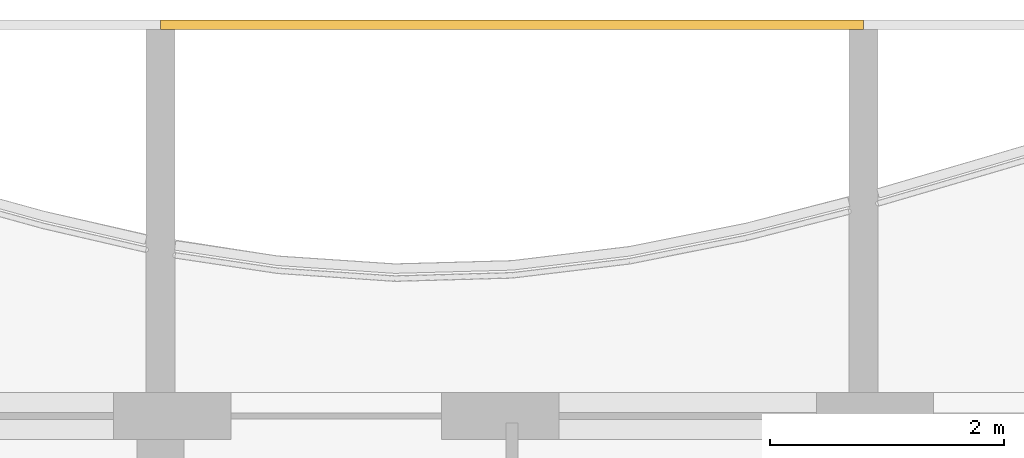
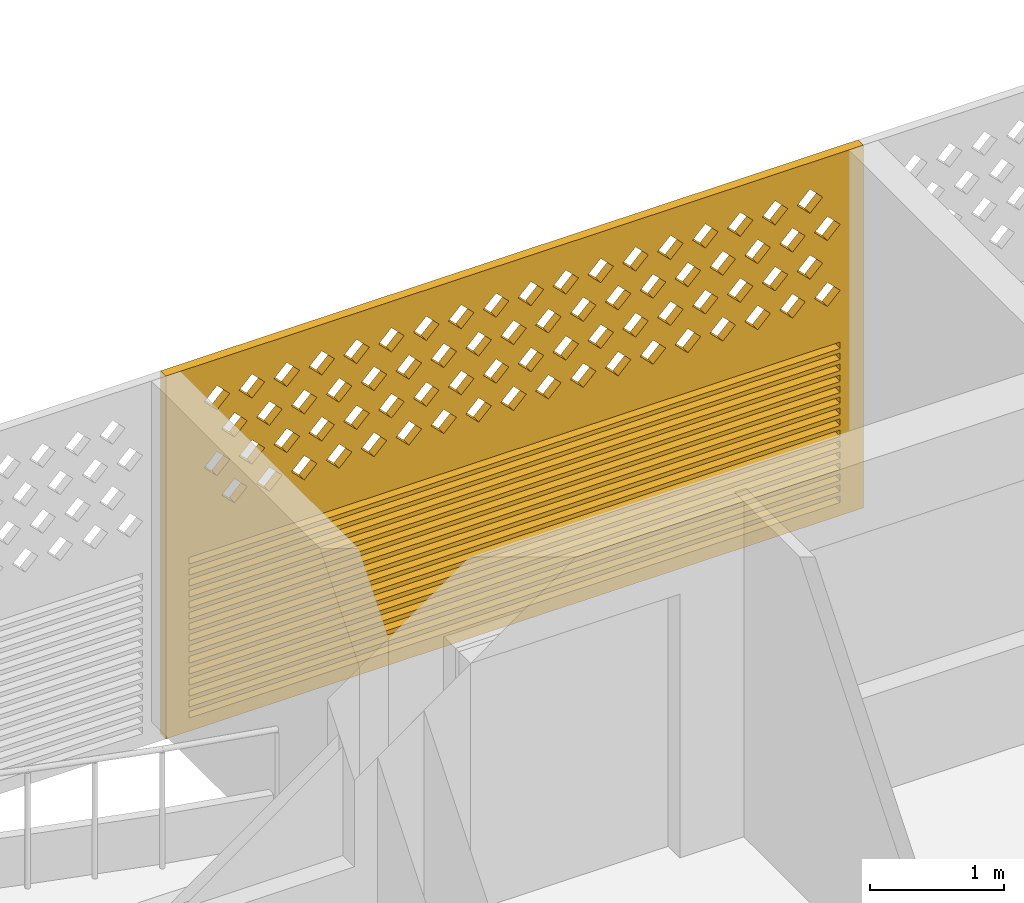
# One storey, part 37 of 39: 1 covering.
"""IFC4 building model written with IfcOpenShell, lengths in metres."""

from ifc_helpers import new_model, si_unit, direction, frame, origin, place, context, subcontext, project, spatial, polyline, outline, extrude, source, transform, mapped, material, material_profile, profile_set, type_object, element, save


model = new_model("IFC4")

# Units and contexts
model_context = context("Model", 3, precision=1e-05, world=origin(), true_north=direction((0.0, 1.0)))
body_context = subcontext(model_context, "Body", "Model", "MODEL_VIEW")
ifc_project = project(units=[si_unit("LENGTHUNIT", "METRE"), si_unit("AREAUNIT", "SQUARE_METRE"), si_unit("VOLUMEUNIT", "CUBIC_METRE"), si_unit("PLANEANGLEUNIT", "RADIAN"), si_unit("MASSUNIT", "GRAM", prefix="KILO")], contexts=[model_context])

# Site, building, storey
site_placement = place(None, origin())
site = spatial("IfcSite", under=ifc_project, at=site_placement, CompositionType="ELEMENT")
building_placement = place(site_placement, origin())
building = spatial("IfcBuilding", under=site, at=building_placement, Name="Poui Terraces", CompositionType="ELEMENT")
storey_placement = place(building_placement, frame((0.0, 0.0, 56.39990234375)))
storey = spatial("IfcBuildingStorey", under=building, at=storey_placement, Name="L15", CompositionType="ELEMENT", Elevation=56.39990234375)

# Covering
ifc_material = material(Name="Terracotta screen", Category="masonry")
ifc_material_profile = material_profile(ifc_material, outline(polyline([(-3.0, -1.64990234375), (3.0, -1.64990234375), (3.0, 1.64990234375), (-3.0, 1.64990234375), (-3.0, -1.64990234375)]), holes=[polyline([(-2.800048828125, 0.39990234375), (-2.68994140625, 0.2900390625), (-2.580078125, 0.39990234375), (-2.68994140625, 0.510009765625), (-2.800048828125, 0.39990234375)]), polyline([(-2.5, 0.39990234375), (-2.389892578125, 0.2900390625), (-2.280029296875, 0.39990234375), (-2.389892578125, 0.510009765625), (-2.5, 0.39990234375)]), polyline([(-2.199951171875, 0.39990234375), (-2.090087890625, 0.2900390625), (-1.97998046875, 0.39990234375), (-2.090087890625, 0.510009765625), (-2.199951171875, 0.39990234375)]), polyline([(-1.89990234375, 0.39990234375), (-1.7900390625, 0.2900390625), (-1.679931640625, 0.39990234375), (-1.7900390625, 0.510009765625), (-1.89990234375, 0.39990234375)]), polyline([(-1.60009765625, 0.39990234375), (-1.489990234375, 0.2900390625), (-1.3798828125, 0.39990234375), (-1.489990234375, 0.510009765625), (-1.60009765625, 0.39990234375)]), polyline([(-1.300048828125, 0.39990234375), (-1.18994140625, 0.2900390625), (-1.080078125, 0.39990234375), (-1.18994140625, 0.510009765625), (-1.300048828125, 0.39990234375)]), polyline([(-1.0, 0.39990234375), (-0.889892578125, 0.2900390625), (-0.780029296875, 0.39990234375), (-0.889892578125, 0.510009765625), (-1.0, 0.39990234375)]), polyline([(-0.699951171875, 0.39990234375), (-0.590087890625, 0.2900390625), (-0.47998046875, 0.39990234375), (-0.590087890625, 0.510009765625), (-0.699951171875, 0.39990234375)]), polyline([(-0.39990234375, 0.39990234375), (-0.2900390625, 0.2900390625), (-0.179931640625, 0.39990234375), (-0.2900390625, 0.510009765625), (-0.39990234375, 0.39990234375)]), polyline([(-0.10009765625, 0.39990234375), (0.010009765625, 0.2900390625), (0.1201171875, 0.39990234375), (0.010009765625, 0.510009765625), (-0.10009765625, 0.39990234375)]), polyline([(0.199951171875, 0.39990234375), (0.31005859375, 0.2900390625), (0.419921875, 0.39990234375), (0.31005859375, 0.510009765625), (0.199951171875, 0.39990234375)]), polyline([(0.5, 0.39990234375), (0.610107421875, 0.2900390625), (0.719970703125, 0.39990234375), (0.610107421875, 0.510009765625), (0.5, 0.39990234375)]), polyline([(0.800048828125, 0.39990234375), (0.909912109375, 0.2900390625), (1.02001953125, 0.39990234375), (0.909912109375, 0.510009765625), (0.800048828125, 0.39990234375)]), polyline([(1.10009765625, 0.39990234375), (1.2099609375, 0.2900390625), (1.320068359375, 0.39990234375), (1.2099609375, 0.510009765625), (1.10009765625, 0.39990234375)]), polyline([(1.39990234375, 0.39990234375), (1.510009765625, 0.2900390625), (1.6201171875, 0.39990234375), (1.510009765625, 0.510009765625), (1.39990234375, 0.39990234375)]), polyline([(1.699951171875, 0.39990234375), (1.81005859375, 0.2900390625), (1.919921875, 0.39990234375), (1.81005859375, 0.510009765625), (1.699951171875, 0.39990234375)]), polyline([(2.0, 0.39990234375), (2.110107421875, 0.2900390625), (2.219970703125, 0.39990234375), (2.110107421875, 0.510009765625), (2.0, 0.39990234375)]), polyline([(2.300048828125, 0.39990234375), (2.409912109375, 0.2900390625), (2.52001953125, 0.39990234375), (2.409912109375, 0.510009765625), (2.300048828125, 0.39990234375)]), polyline([(-2.64990234375, 0.699951171875), (-2.5400390625, 0.590087890625), (-2.429931640625, 0.699951171875), (-2.5400390625, 0.81005859375), (-2.64990234375, 0.699951171875)]), polyline([(-2.35009765625, 0.699951171875), (-2.239990234375, 0.590087890625), (-2.1298828125, 0.699951171875), (-2.239990234375, 0.81005859375), (-2.35009765625, 0.699951171875)]), polyline([(-2.050048828125, 0.699951171875), (-1.93994140625, 0.590087890625), (-1.830078125, 0.699951171875), (-1.93994140625, 0.81005859375), (-2.050048828125, 0.699951171875)]), polyline([(-1.75, 0.699951171875), (-1.639892578125, 0.590087890625), (-1.530029296875, 0.699951171875), (-1.639892578125, 0.81005859375), (-1.75, 0.699951171875)]), polyline([(-1.449951171875, 0.699951171875), (-1.340087890625, 0.590087890625), (-1.22998046875, 0.699951171875), (-1.340087890625, 0.81005859375), (-1.449951171875, 0.699951171875)]), polyline([(-1.14990234375, 0.699951171875), (-1.0400390625, 0.590087890625), (-0.929931640625, 0.699951171875), (-1.0400390625, 0.81005859375), (-1.14990234375, 0.699951171875)]), polyline([(-0.85009765625, 0.699951171875), (-0.739990234375, 0.590087890625), (-0.6298828125, 0.699951171875), (-0.739990234375, 0.81005859375), (-0.85009765625, 0.699951171875)]), polyline([(-0.550048828125, 0.699951171875), (-0.43994140625, 0.590087890625), (-0.330078125, 0.699951171875), (-0.43994140625, 0.81005859375), (-0.550048828125, 0.699951171875)]), polyline([(-0.25, 0.699951171875), (-0.139892578125, 0.590087890625), (-0.030029296875, 0.699951171875), (-0.139892578125, 0.81005859375), (-0.25, 0.699951171875)]), polyline([(0.050048828125, 0.699951171875), (0.159912109375, 0.590087890625), (0.27001953125, 0.699951171875), (0.159912109375, 0.81005859375), (0.050048828125, 0.699951171875)]), polyline([(0.35009765625, 0.699951171875), (0.4599609375, 0.590087890625), (0.570068359375, 0.699951171875), (0.4599609375, 0.81005859375), (0.35009765625, 0.699951171875)]), polyline([(0.64990234375, 0.699951171875), (0.760009765625, 0.590087890625), (0.8701171875, 0.699951171875), (0.760009765625, 0.81005859375), (0.64990234375, 0.699951171875)]), polyline([(0.949951171875, 0.699951171875), (1.06005859375, 0.590087890625), (1.169921875, 0.699951171875), (1.06005859375, 0.81005859375), (0.949951171875, 0.699951171875)]), polyline([(1.25, 0.699951171875), (1.360107421875, 0.590087890625), (1.469970703125, 0.699951171875), (1.360107421875, 0.81005859375), (1.25, 0.699951171875)]), polyline([(1.550048828125, 0.699951171875), (1.659912109375, 0.590087890625), (1.77001953125, 0.699951171875), (1.659912109375, 0.81005859375), (1.550048828125, 0.699951171875)]), polyline([(1.85009765625, 0.699951171875), (1.9599609375, 0.590087890625), (2.070068359375, 0.699951171875), (1.9599609375, 0.81005859375), (1.85009765625, 0.699951171875)]), polyline([(2.14990234375, 0.699951171875), (2.260009765625, 0.590087890625), (2.3701171875, 0.699951171875), (2.260009765625, 0.81005859375), (2.14990234375, 0.699951171875)]), polyline([(2.449951171875, 0.699951171875), (2.56005859375, 0.590087890625), (2.669921875, 0.699951171875), (2.56005859375, 0.81005859375), (2.449951171875, 0.699951171875)]), polyline([(-2.800048828125, 1.0), (-2.68994140625, 0.889892578125), (-2.580078125, 1.0), (-2.68994140625, 1.110107421875), (-2.800048828125, 1.0)]), polyline([(-2.5, 1.0), (-2.389892578125, 0.889892578125), (-2.280029296875, 1.0), (-2.389892578125, 1.110107421875), (-2.5, 1.0)]), polyline([(-2.199951171875, 1.0), (-2.090087890625, 0.889892578125), (-1.97998046875, 1.0), (-2.090087890625, 1.110107421875), (-2.199951171875, 1.0)]), polyline([(-1.89990234375, 1.0), (-1.7900390625, 0.889892578125), (-1.679931640625, 1.0), (-1.7900390625, 1.110107421875), (-1.89990234375, 1.0)]), polyline([(-1.60009765625, 1.0), (-1.489990234375, 0.889892578125), (-1.3798828125, 1.0), (-1.489990234375, 1.110107421875), (-1.60009765625, 1.0)]), polyline([(-1.300048828125, 1.0), (-1.18994140625, 0.889892578125), (-1.080078125, 1.0), (-1.18994140625, 1.110107421875), (-1.300048828125, 1.0)]), polyline([(-1.0, 1.0), (-0.889892578125, 0.889892578125), (-0.780029296875, 1.0), (-0.889892578125, 1.110107421875), (-1.0, 1.0)]), polyline([(-0.699951171875, 1.0), (-0.590087890625, 0.889892578125), (-0.47998046875, 1.0), (-0.590087890625, 1.110107421875), (-0.699951171875, 1.0)]), polyline([(-0.39990234375, 1.0), (-0.2900390625, 0.889892578125), (-0.179931640625, 1.0), (-0.2900390625, 1.110107421875), (-0.39990234375, 1.0)]), polyline([(-0.10009765625, 1.0), (0.010009765625, 0.889892578125), (0.1201171875, 1.0), (0.010009765625, 1.110107421875), (-0.10009765625, 1.0)]), polyline([(0.199951171875, 1.0), (0.31005859375, 0.889892578125), (0.419921875, 1.0), (0.31005859375, 1.110107421875), (0.199951171875, 1.0)]), polyline([(0.5, 1.0), (0.610107421875, 0.889892578125), (0.719970703125, 1.0), (0.610107421875, 1.110107421875), (0.5, 1.0)]), polyline([(0.800048828125, 1.0), (0.909912109375, 0.889892578125), (1.02001953125, 1.0), (0.909912109375, 1.110107421875), (0.800048828125, 1.0)]), polyline([(1.10009765625, 1.0), (1.2099609375, 0.889892578125), (1.320068359375, 1.0), (1.2099609375, 1.110107421875), (1.10009765625, 1.0)]), polyline([(1.39990234375, 1.0), (1.510009765625, 0.889892578125), (1.6201171875, 1.0), (1.510009765625, 1.110107421875), (1.39990234375, 1.0)]), polyline([(1.699951171875, 1.0), (1.81005859375, 0.889892578125), (1.919921875, 1.0), (1.81005859375, 1.110107421875), (1.699951171875, 1.0)]), polyline([(2.0, 1.0), (2.110107421875, 0.889892578125), (2.219970703125, 1.0), (2.110107421875, 1.110107421875), (2.0, 1.0)]), polyline([(2.300048828125, 1.0), (2.409912109375, 0.889892578125), (2.52001953125, 1.0), (2.409912109375, 1.110107421875), (2.300048828125, 1.0)]), polyline([(-2.64990234375, 1.300048828125), (-2.5400390625, 1.18994140625), (-2.429931640625, 1.300048828125), (-2.5400390625, 1.409912109375), (-2.64990234375, 1.300048828125)]), polyline([(-2.35009765625, 1.300048828125), (-2.239990234375, 1.18994140625), (-2.1298828125, 1.300048828125), (-2.239990234375, 1.409912109375), (-2.35009765625, 1.300048828125)]), polyline([(-2.050048828125, 1.300048828125), (-1.93994140625, 1.18994140625), (-1.830078125, 1.300048828125), (-1.93994140625, 1.409912109375), (-2.050048828125, 1.300048828125)]), polyline([(-1.75, 1.300048828125), (-1.639892578125, 1.18994140625), (-1.530029296875, 1.300048828125), (-1.639892578125, 1.409912109375), (-1.75, 1.300048828125)]), polyline([(-1.449951171875, 1.300048828125), (-1.340087890625, 1.18994140625), (-1.22998046875, 1.300048828125), (-1.340087890625, 1.409912109375), (-1.449951171875, 1.300048828125)]), polyline([(-1.14990234375, 1.300048828125), (-1.0400390625, 1.18994140625), (-0.929931640625, 1.300048828125), (-1.0400390625, 1.409912109375), (-1.14990234375, 1.300048828125)]), polyline([(-0.85009765625, 1.300048828125), (-0.739990234375, 1.18994140625), (-0.6298828125, 1.300048828125), (-0.739990234375, 1.409912109375), (-0.85009765625, 1.300048828125)]), polyline([(-0.550048828125, 1.300048828125), (-0.43994140625, 1.18994140625), (-0.330078125, 1.300048828125), (-0.43994140625, 1.409912109375), (-0.550048828125, 1.300048828125)]), polyline([(-0.25, 1.300048828125), (-0.139892578125, 1.18994140625), (-0.030029296875, 1.300048828125), (-0.139892578125, 1.409912109375), (-0.25, 1.300048828125)]), polyline([(0.050048828125, 1.300048828125), (0.159912109375, 1.18994140625), (0.27001953125, 1.300048828125), (0.159912109375, 1.409912109375), (0.050048828125, 1.300048828125)]), polyline([(0.35009765625, 1.300048828125), (0.4599609375, 1.18994140625), (0.570068359375, 1.300048828125), (0.4599609375, 1.409912109375), (0.35009765625, 1.300048828125)]), polyline([(0.64990234375, 1.300048828125), (0.760009765625, 1.18994140625), (0.8701171875, 1.300048828125), (0.760009765625, 1.409912109375), (0.64990234375, 1.300048828125)]), polyline([(0.949951171875, 1.300048828125), (1.06005859375, 1.18994140625), (1.169921875, 1.300048828125), (1.06005859375, 1.409912109375), (0.949951171875, 1.300048828125)]), polyline([(1.25, 1.300048828125), (1.360107421875, 1.18994140625), (1.469970703125, 1.300048828125), (1.360107421875, 1.409912109375), (1.25, 1.300048828125)]), polyline([(1.550048828125, 1.300048828125), (1.659912109375, 1.18994140625), (1.77001953125, 1.300048828125), (1.659912109375, 1.409912109375), (1.550048828125, 1.300048828125)]), polyline([(1.85009765625, 1.300048828125), (1.9599609375, 1.18994140625), (2.070068359375, 1.300048828125), (1.9599609375, 1.409912109375), (1.85009765625, 1.300048828125)]), polyline([(2.14990234375, 1.300048828125), (2.260009765625, 1.18994140625), (2.3701171875, 1.300048828125), (2.260009765625, 1.409912109375), (2.14990234375, 1.300048828125)]), polyline([(2.449951171875, 1.300048828125), (2.56005859375, 1.18994140625), (2.669921875, 1.300048828125), (2.56005859375, 1.409912109375), (2.449951171875, 1.300048828125)]), polyline([(-2.800048828125, -1.530029296875), (2.800048828125, -1.530029296875), (2.800048828125, -1.469970703125), (-2.800048828125, -1.469970703125), (-2.800048828125, -1.530029296875)]), polyline([(-2.800048828125, -1.429931640625), (2.800048828125, -1.429931640625), (2.800048828125, -1.3701171875), (-2.800048828125, -1.3701171875), (-2.800048828125, -1.429931640625)]), polyline([(-2.800048828125, -1.330078125), (2.800048828125, -1.330078125), (2.800048828125, -1.27001953125), (-2.800048828125, -1.27001953125), (-2.800048828125, -1.330078125)]), polyline([(-2.800048828125, -1.22998046875), (2.800048828125, -1.22998046875), (2.800048828125, -1.169921875), (-2.800048828125, -1.169921875), (-2.800048828125, -1.22998046875)]), polyline([(-2.800048828125, -1.1298828125), (2.800048828125, -1.1298828125), (2.800048828125, -1.070068359375), (-2.800048828125, -1.070068359375), (-2.800048828125, -1.1298828125)]), polyline([(-2.800048828125, -1.030029296875), (2.800048828125, -1.030029296875), (2.800048828125, -0.969970703125), (-2.800048828125, -0.969970703125), (-2.800048828125, -1.030029296875)]), polyline([(-2.800048828125, -0.929931640625), (2.800048828125, -0.929931640625), (2.800048828125, -0.8701171875), (-2.800048828125, -0.8701171875), (-2.800048828125, -0.929931640625)]), polyline([(-2.800048828125, -0.830078125), (2.800048828125, -0.830078125), (2.800048828125, -0.77001953125), (-2.800048828125, -0.77001953125), (-2.800048828125, -0.830078125)]), polyline([(-2.800048828125, -0.72998046875), (2.800048828125, -0.72998046875), (2.800048828125, -0.669921875), (-2.800048828125, -0.669921875), (-2.800048828125, -0.72998046875)]), polyline([(-2.800048828125, -0.6298828125), (2.800048828125, -0.6298828125), (2.800048828125, -0.570068359375), (-2.800048828125, -0.570068359375), (-2.800048828125, -0.6298828125)]), polyline([(-2.800048828125, -0.530029296875), (2.800048828125, -0.530029296875), (2.800048828125, -0.469970703125), (-2.800048828125, -0.469970703125), (-2.800048828125, -0.530029296875)]), polyline([(-2.800048828125, -0.429931640625), (2.800048828125, -0.429931640625), (2.800048828125, -0.3701171875), (-2.800048828125, -0.3701171875), (-2.800048828125, -0.429931640625)]), polyline([(-2.800048828125, -0.330078125), (2.800048828125, -0.330078125), (2.800048828125, -0.27001953125), (-2.800048828125, -0.27001953125), (-2.800048828125, -0.330078125)]), polyline([(-2.800048828125, -0.22998046875), (2.800048828125, -0.22998046875), (2.800048828125, -0.169921875), (-2.800048828125, -0.169921875), (-2.800048828125, -0.22998046875)]), polyline([(-2.800048828125, -0.1298828125), (2.800048828125, -0.1298828125), (2.800048828125, -0.070068359375), (-2.800048828125, -0.070068359375), (-2.800048828125, -0.1298828125)])]), Name="TERRACOTTA SCREEN AND JALOUSIE LOUVRE 6000X3300")
ifc_profile_set = profile_set([ifc_material_profile], Name="Terracotta screen")
covering_type = type_object("IfcCoveringType", Name="TERRACOTTA SCREEN AND JALOUSIE LOUVRE 6000X3300", PredefinedType="CLADDING", material=ifc_profile_set)
shared_shape = source(origin(), body_context, "Body", "SweptSolid", [
    extrude(outline(polyline([(-3.0, -1.64990234375), (3.0, -1.64990234375), (3.0, 1.64990234375), (-3.0, 1.64990234375), (-3.0, -1.64990234375)]), holes=[polyline([(-2.800048828125, 0.39990234375), (-2.68994140625, 0.2900390625), (-2.580078125, 0.39990234375), (-2.68994140625, 0.510009765625), (-2.800048828125, 0.39990234375)]), polyline([(-2.5, 0.39990234375), (-2.389892578125, 0.2900390625), (-2.280029296875, 0.39990234375), (-2.389892578125, 0.510009765625), (-2.5, 0.39990234375)]), polyline([(-2.199951171875, 0.39990234375), (-2.090087890625, 0.2900390625), (-1.97998046875, 0.39990234375), (-2.090087890625, 0.510009765625), (-2.199951171875, 0.39990234375)]), polyline([(-1.89990234375, 0.39990234375), (-1.7900390625, 0.2900390625), (-1.679931640625, 0.39990234375), (-1.7900390625, 0.510009765625), (-1.89990234375, 0.39990234375)]), polyline([(-1.60009765625, 0.39990234375), (-1.489990234375, 0.2900390625), (-1.3798828125, 0.39990234375), (-1.489990234375, 0.510009765625), (-1.60009765625, 0.39990234375)]), polyline([(-1.300048828125, 0.39990234375), (-1.18994140625, 0.2900390625), (-1.080078125, 0.39990234375), (-1.18994140625, 0.510009765625), (-1.300048828125, 0.39990234375)]), polyline([(-1.0, 0.39990234375), (-0.889892578125, 0.2900390625), (-0.780029296875, 0.39990234375), (-0.889892578125, 0.510009765625), (-1.0, 0.39990234375)]), polyline([(-0.699951171875, 0.39990234375), (-0.590087890625, 0.2900390625), (-0.47998046875, 0.39990234375), (-0.590087890625, 0.510009765625), (-0.699951171875, 0.39990234375)]), polyline([(-0.39990234375, 0.39990234375), (-0.2900390625, 0.2900390625), (-0.179931640625, 0.39990234375), (-0.2900390625, 0.510009765625), (-0.39990234375, 0.39990234375)]), polyline([(-0.10009765625, 0.39990234375), (0.010009765625, 0.2900390625), (0.1201171875, 0.39990234375), (0.010009765625, 0.510009765625), (-0.10009765625, 0.39990234375)]), polyline([(0.199951171875, 0.39990234375), (0.31005859375, 0.2900390625), (0.419921875, 0.39990234375), (0.31005859375, 0.510009765625), (0.199951171875, 0.39990234375)]), polyline([(0.5, 0.39990234375), (0.610107421875, 0.2900390625), (0.719970703125, 0.39990234375), (0.610107421875, 0.510009765625), (0.5, 0.39990234375)]), polyline([(0.800048828125, 0.39990234375), (0.909912109375, 0.2900390625), (1.02001953125, 0.39990234375), (0.909912109375, 0.510009765625), (0.800048828125, 0.39990234375)]), polyline([(1.10009765625, 0.39990234375), (1.2099609375, 0.2900390625), (1.320068359375, 0.39990234375), (1.2099609375, 0.510009765625), (1.10009765625, 0.39990234375)]), polyline([(1.39990234375, 0.39990234375), (1.510009765625, 0.2900390625), (1.6201171875, 0.39990234375), (1.510009765625, 0.510009765625), (1.39990234375, 0.39990234375)]), polyline([(1.699951171875, 0.39990234375), (1.81005859375, 0.2900390625), (1.919921875, 0.39990234375), (1.81005859375, 0.510009765625), (1.699951171875, 0.39990234375)]), polyline([(2.0, 0.39990234375), (2.110107421875, 0.2900390625), (2.219970703125, 0.39990234375), (2.110107421875, 0.510009765625), (2.0, 0.39990234375)]), polyline([(2.300048828125, 0.39990234375), (2.409912109375, 0.2900390625), (2.52001953125, 0.39990234375), (2.409912109375, 0.510009765625), (2.300048828125, 0.39990234375)]), polyline([(-2.64990234375, 0.699951171875), (-2.5400390625, 0.590087890625), (-2.429931640625, 0.699951171875), (-2.5400390625, 0.81005859375), (-2.64990234375, 0.699951171875)]), polyline([(-2.35009765625, 0.699951171875), (-2.239990234375, 0.590087890625), (-2.1298828125, 0.699951171875), (-2.239990234375, 0.81005859375), (-2.35009765625, 0.699951171875)]), polyline([(-2.050048828125, 0.699951171875), (-1.93994140625, 0.590087890625), (-1.830078125, 0.699951171875), (-1.93994140625, 0.81005859375), (-2.050048828125, 0.699951171875)]), polyline([(-1.75, 0.699951171875), (-1.639892578125, 0.590087890625), (-1.530029296875, 0.699951171875), (-1.639892578125, 0.81005859375), (-1.75, 0.699951171875)]), polyline([(-1.449951171875, 0.699951171875), (-1.340087890625, 0.590087890625), (-1.22998046875, 0.699951171875), (-1.340087890625, 0.81005859375), (-1.449951171875, 0.699951171875)]), polyline([(-1.14990234375, 0.699951171875), (-1.0400390625, 0.590087890625), (-0.929931640625, 0.699951171875), (-1.0400390625, 0.81005859375), (-1.14990234375, 0.699951171875)]), polyline([(-0.85009765625, 0.699951171875), (-0.739990234375, 0.590087890625), (-0.6298828125, 0.699951171875), (-0.739990234375, 0.81005859375), (-0.85009765625, 0.699951171875)]), polyline([(-0.550048828125, 0.699951171875), (-0.43994140625, 0.590087890625), (-0.330078125, 0.699951171875), (-0.43994140625, 0.81005859375), (-0.550048828125, 0.699951171875)]), polyline([(-0.25, 0.699951171875), (-0.139892578125, 0.590087890625), (-0.030029296875, 0.699951171875), (-0.139892578125, 0.81005859375), (-0.25, 0.699951171875)]), polyline([(0.050048828125, 0.699951171875), (0.159912109375, 0.590087890625), (0.27001953125, 0.699951171875), (0.159912109375, 0.81005859375), (0.050048828125, 0.699951171875)]), polyline([(0.35009765625, 0.699951171875), (0.4599609375, 0.590087890625), (0.570068359375, 0.699951171875), (0.4599609375, 0.81005859375), (0.35009765625, 0.699951171875)]), polyline([(0.64990234375, 0.699951171875), (0.760009765625, 0.590087890625), (0.8701171875, 0.699951171875), (0.760009765625, 0.81005859375), (0.64990234375, 0.699951171875)]), polyline([(0.949951171875, 0.699951171875), (1.06005859375, 0.590087890625), (1.169921875, 0.699951171875), (1.06005859375, 0.81005859375), (0.949951171875, 0.699951171875)]), polyline([(1.25, 0.699951171875), (1.360107421875, 0.590087890625), (1.469970703125, 0.699951171875), (1.360107421875, 0.81005859375), (1.25, 0.699951171875)]), polyline([(1.550048828125, 0.699951171875), (1.659912109375, 0.590087890625), (1.77001953125, 0.699951171875), (1.659912109375, 0.81005859375), (1.550048828125, 0.699951171875)]), polyline([(1.85009765625, 0.699951171875), (1.9599609375, 0.590087890625), (2.070068359375, 0.699951171875), (1.9599609375, 0.81005859375), (1.85009765625, 0.699951171875)]), polyline([(2.14990234375, 0.699951171875), (2.260009765625, 0.590087890625), (2.3701171875, 0.699951171875), (2.260009765625, 0.81005859375), (2.14990234375, 0.699951171875)]), polyline([(2.449951171875, 0.699951171875), (2.56005859375, 0.590087890625), (2.669921875, 0.699951171875), (2.56005859375, 0.81005859375), (2.449951171875, 0.699951171875)]), polyline([(-2.800048828125, 1.0), (-2.68994140625, 0.889892578125), (-2.580078125, 1.0), (-2.68994140625, 1.110107421875), (-2.800048828125, 1.0)]), polyline([(-2.5, 1.0), (-2.389892578125, 0.889892578125), (-2.280029296875, 1.0), (-2.389892578125, 1.110107421875), (-2.5, 1.0)]), polyline([(-2.199951171875, 1.0), (-2.090087890625, 0.889892578125), (-1.97998046875, 1.0), (-2.090087890625, 1.110107421875), (-2.199951171875, 1.0)]), polyline([(-1.89990234375, 1.0), (-1.7900390625, 0.889892578125), (-1.679931640625, 1.0), (-1.7900390625, 1.110107421875), (-1.89990234375, 1.0)]), polyline([(-1.60009765625, 1.0), (-1.489990234375, 0.889892578125), (-1.3798828125, 1.0), (-1.489990234375, 1.110107421875), (-1.60009765625, 1.0)]), polyline([(-1.300048828125, 1.0), (-1.18994140625, 0.889892578125), (-1.080078125, 1.0), (-1.18994140625, 1.110107421875), (-1.300048828125, 1.0)]), polyline([(-1.0, 1.0), (-0.889892578125, 0.889892578125), (-0.780029296875, 1.0), (-0.889892578125, 1.110107421875), (-1.0, 1.0)]), polyline([(-0.699951171875, 1.0), (-0.590087890625, 0.889892578125), (-0.47998046875, 1.0), (-0.590087890625, 1.110107421875), (-0.699951171875, 1.0)]), polyline([(-0.39990234375, 1.0), (-0.2900390625, 0.889892578125), (-0.179931640625, 1.0), (-0.2900390625, 1.110107421875), (-0.39990234375, 1.0)]), polyline([(-0.10009765625, 1.0), (0.010009765625, 0.889892578125), (0.1201171875, 1.0), (0.010009765625, 1.110107421875), (-0.10009765625, 1.0)]), polyline([(0.199951171875, 1.0), (0.31005859375, 0.889892578125), (0.419921875, 1.0), (0.31005859375, 1.110107421875), (0.199951171875, 1.0)]), polyline([(0.5, 1.0), (0.610107421875, 0.889892578125), (0.719970703125, 1.0), (0.610107421875, 1.110107421875), (0.5, 1.0)]), polyline([(0.800048828125, 1.0), (0.909912109375, 0.889892578125), (1.02001953125, 1.0), (0.909912109375, 1.110107421875), (0.800048828125, 1.0)]), polyline([(1.10009765625, 1.0), (1.2099609375, 0.889892578125), (1.320068359375, 1.0), (1.2099609375, 1.110107421875), (1.10009765625, 1.0)]), polyline([(1.39990234375, 1.0), (1.510009765625, 0.889892578125), (1.6201171875, 1.0), (1.510009765625, 1.110107421875), (1.39990234375, 1.0)]), polyline([(1.699951171875, 1.0), (1.81005859375, 0.889892578125), (1.919921875, 1.0), (1.81005859375, 1.110107421875), (1.699951171875, 1.0)]), polyline([(2.0, 1.0), (2.110107421875, 0.889892578125), (2.219970703125, 1.0), (2.110107421875, 1.110107421875), (2.0, 1.0)]), polyline([(2.300048828125, 1.0), (2.409912109375, 0.889892578125), (2.52001953125, 1.0), (2.409912109375, 1.110107421875), (2.300048828125, 1.0)]), polyline([(-2.64990234375, 1.300048828125), (-2.5400390625, 1.18994140625), (-2.429931640625, 1.300048828125), (-2.5400390625, 1.409912109375), (-2.64990234375, 1.300048828125)]), polyline([(-2.35009765625, 1.300048828125), (-2.239990234375, 1.18994140625), (-2.1298828125, 1.300048828125), (-2.239990234375, 1.409912109375), (-2.35009765625, 1.300048828125)]), polyline([(-2.050048828125, 1.300048828125), (-1.93994140625, 1.18994140625), (-1.830078125, 1.300048828125), (-1.93994140625, 1.409912109375), (-2.050048828125, 1.300048828125)]), polyline([(-1.75, 1.300048828125), (-1.639892578125, 1.18994140625), (-1.530029296875, 1.300048828125), (-1.639892578125, 1.409912109375), (-1.75, 1.300048828125)]), polyline([(-1.449951171875, 1.300048828125), (-1.340087890625, 1.18994140625), (-1.22998046875, 1.300048828125), (-1.340087890625, 1.409912109375), (-1.449951171875, 1.300048828125)]), polyline([(-1.14990234375, 1.300048828125), (-1.0400390625, 1.18994140625), (-0.929931640625, 1.300048828125), (-1.0400390625, 1.409912109375), (-1.14990234375, 1.300048828125)]), polyline([(-0.85009765625, 1.300048828125), (-0.739990234375, 1.18994140625), (-0.6298828125, 1.300048828125), (-0.739990234375, 1.409912109375), (-0.85009765625, 1.300048828125)]), polyline([(-0.550048828125, 1.300048828125), (-0.43994140625, 1.18994140625), (-0.330078125, 1.300048828125), (-0.43994140625, 1.409912109375), (-0.550048828125, 1.300048828125)]), polyline([(-0.25, 1.300048828125), (-0.139892578125, 1.18994140625), (-0.030029296875, 1.300048828125), (-0.139892578125, 1.409912109375), (-0.25, 1.300048828125)]), polyline([(0.050048828125, 1.300048828125), (0.159912109375, 1.18994140625), (0.27001953125, 1.300048828125), (0.159912109375, 1.409912109375), (0.050048828125, 1.300048828125)]), polyline([(0.35009765625, 1.300048828125), (0.4599609375, 1.18994140625), (0.570068359375, 1.300048828125), (0.4599609375, 1.409912109375), (0.35009765625, 1.300048828125)]), polyline([(0.64990234375, 1.300048828125), (0.760009765625, 1.18994140625), (0.8701171875, 1.300048828125), (0.760009765625, 1.409912109375), (0.64990234375, 1.300048828125)]), polyline([(0.949951171875, 1.300048828125), (1.06005859375, 1.18994140625), (1.169921875, 1.300048828125), (1.06005859375, 1.409912109375), (0.949951171875, 1.300048828125)]), polyline([(1.25, 1.300048828125), (1.360107421875, 1.18994140625), (1.469970703125, 1.300048828125), (1.360107421875, 1.409912109375), (1.25, 1.300048828125)]), polyline([(1.550048828125, 1.300048828125), (1.659912109375, 1.18994140625), (1.77001953125, 1.300048828125), (1.659912109375, 1.409912109375), (1.550048828125, 1.300048828125)]), polyline([(1.85009765625, 1.300048828125), (1.9599609375, 1.18994140625), (2.070068359375, 1.300048828125), (1.9599609375, 1.409912109375), (1.85009765625, 1.300048828125)]), polyline([(2.14990234375, 1.300048828125), (2.260009765625, 1.18994140625), (2.3701171875, 1.300048828125), (2.260009765625, 1.409912109375), (2.14990234375, 1.300048828125)]), polyline([(2.449951171875, 1.300048828125), (2.56005859375, 1.18994140625), (2.669921875, 1.300048828125), (2.56005859375, 1.409912109375), (2.449951171875, 1.300048828125)]), polyline([(-2.800048828125, -1.530029296875), (2.800048828125, -1.530029296875), (2.800048828125, -1.469970703125), (-2.800048828125, -1.469970703125), (-2.800048828125, -1.530029296875)]), polyline([(-2.800048828125, -1.429931640625), (2.800048828125, -1.429931640625), (2.800048828125, -1.3701171875), (-2.800048828125, -1.3701171875), (-2.800048828125, -1.429931640625)]), polyline([(-2.800048828125, -1.330078125), (2.800048828125, -1.330078125), (2.800048828125, -1.27001953125), (-2.800048828125, -1.27001953125), (-2.800048828125, -1.330078125)]), polyline([(-2.800048828125, -1.22998046875), (2.800048828125, -1.22998046875), (2.800048828125, -1.169921875), (-2.800048828125, -1.169921875), (-2.800048828125, -1.22998046875)]), polyline([(-2.800048828125, -1.1298828125), (2.800048828125, -1.1298828125), (2.800048828125, -1.070068359375), (-2.800048828125, -1.070068359375), (-2.800048828125, -1.1298828125)]), polyline([(-2.800048828125, -1.030029296875), (2.800048828125, -1.030029296875), (2.800048828125, -0.969970703125), (-2.800048828125, -0.969970703125), (-2.800048828125, -1.030029296875)]), polyline([(-2.800048828125, -0.929931640625), (2.800048828125, -0.929931640625), (2.800048828125, -0.8701171875), (-2.800048828125, -0.8701171875), (-2.800048828125, -0.929931640625)]), polyline([(-2.800048828125, -0.830078125), (2.800048828125, -0.830078125), (2.800048828125, -0.77001953125), (-2.800048828125, -0.77001953125), (-2.800048828125, -0.830078125)]), polyline([(-2.800048828125, -0.72998046875), (2.800048828125, -0.72998046875), (2.800048828125, -0.669921875), (-2.800048828125, -0.669921875), (-2.800048828125, -0.72998046875)]), polyline([(-2.800048828125, -0.6298828125), (2.800048828125, -0.6298828125), (2.800048828125, -0.570068359375), (-2.800048828125, -0.570068359375), (-2.800048828125, -0.6298828125)]), polyline([(-2.800048828125, -0.530029296875), (2.800048828125, -0.530029296875), (2.800048828125, -0.469970703125), (-2.800048828125, -0.469970703125), (-2.800048828125, -0.530029296875)]), polyline([(-2.800048828125, -0.429931640625), (2.800048828125, -0.429931640625), (2.800048828125, -0.3701171875), (-2.800048828125, -0.3701171875), (-2.800048828125, -0.429931640625)]), polyline([(-2.800048828125, -0.330078125), (2.800048828125, -0.330078125), (2.800048828125, -0.27001953125), (-2.800048828125, -0.27001953125), (-2.800048828125, -0.330078125)]), polyline([(-2.800048828125, -0.22998046875), (2.800048828125, -0.22998046875), (2.800048828125, -0.169921875), (-2.800048828125, -0.169921875), (-2.800048828125, -0.22998046875)]), polyline([(-2.800048828125, -0.1298828125), (2.800048828125, -0.1298828125), (2.800048828125, -0.070068359375), (-2.800048828125, -0.070068359375), (-2.800048828125, -0.1298828125)])]), origin(), (0.0, 0.0, 1.0), 0.079833984375),
])
covering_placement = place(storey_placement, frame((75.0, 48.10009765625, 1.4501953125), z_axis=(0.0, 1.0, 0.0), x_axis=(-1.0, 0.0, 0.0)))
element("IfcCovering", 1, at=covering_placement, inside=storey, type_object=covering_type, Name="SOLAR SCREEN AND JALOUSIE LOUVRE", PredefinedType="CLADDING", context=body_context, shape_type="MappedRepresentation", body=[
    mapped(shared_shape, transform((0.0, 0.0, 0.0))),
])

save(model, "model.ifc")
